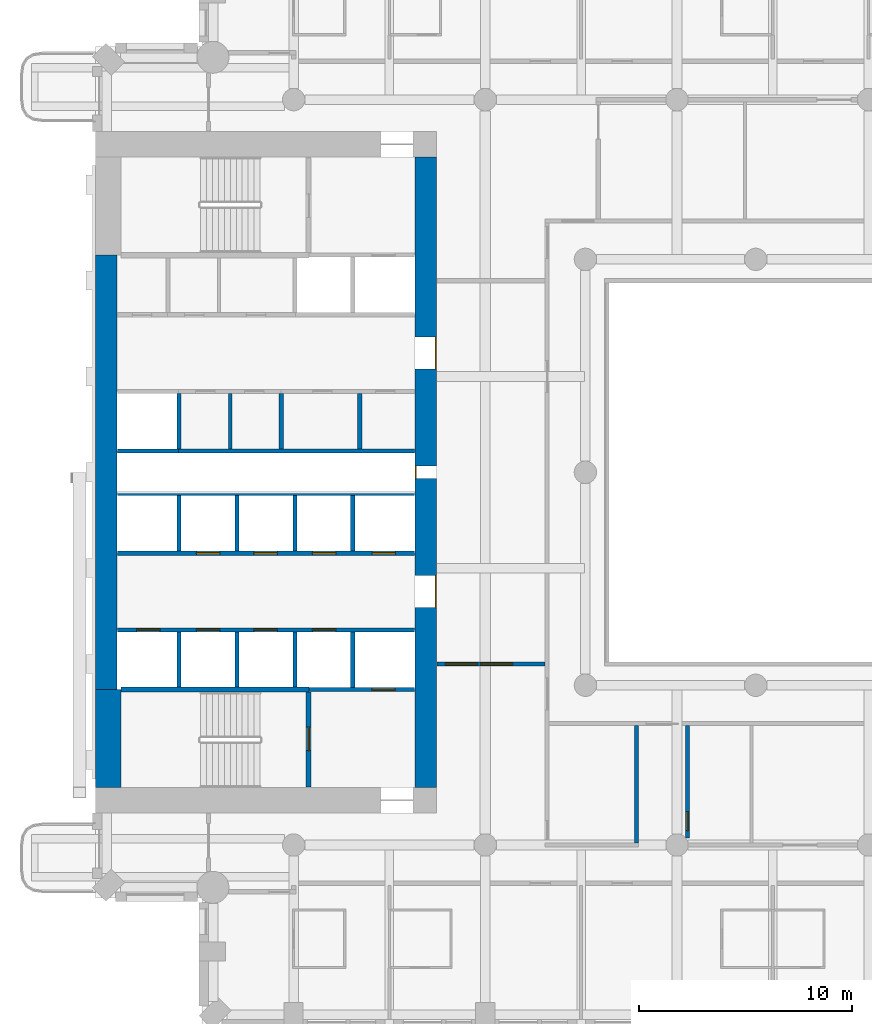
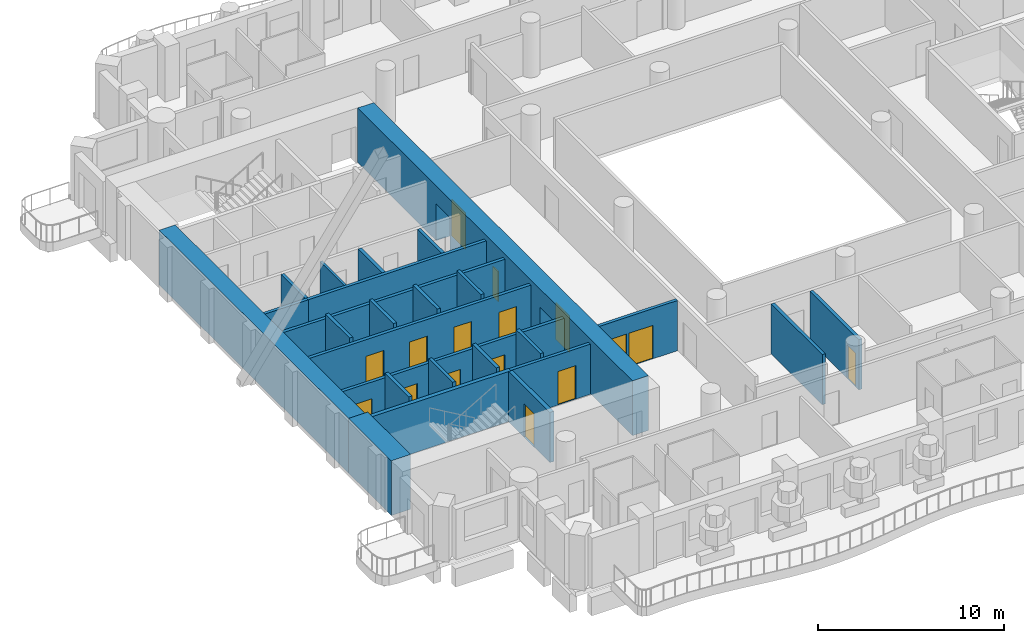
# One storey, part 4 of 21: 26 walls, 16 doors, 16 openings.
"""IFC4 building model written with IfcOpenShell, lengths in metres."""

from ifc_helpers import new_model, si_unit, direction, frame, frame_2d, origin, place, context, subcontext, project, spatial, rectangle, extrude, material, layer, layer_set, type_object, element, fill, save


model = new_model("IFC4")

# Units and contexts
model_context = context("Model", 3, precision=1e-05, world=origin(), true_north=direction((0.0, 1.0)))
body_context = subcontext(model_context, "Body", "Model", "MODEL_VIEW")
ifc_project = project(units=[si_unit("LENGTHUNIT", "METRE"), si_unit("AREAUNIT", "SQUARE_METRE"), si_unit("VOLUMEUNIT", "CUBIC_METRE"), si_unit("PLANEANGLEUNIT", "RADIAN"), si_unit("MASSUNIT", "GRAM", prefix="KILO")], contexts=[model_context])

# Site, building, storey
site_placement = place(None, origin())
site = spatial("IfcSite", under=ifc_project, at=site_placement, CompositionType="ELEMENT")
building_placement = place(site_placement, origin())
building = spatial("IfcBuilding", under=site, at=building_placement, Name="Cypress Arch Tower", CompositionType="ELEMENT")
storey_placement = place(building_placement, frame((0.0, 0.0, 127.5)))
storey = spatial("IfcBuildingStorey", under=building, at=storey_placement, Name="L27", CompositionType="ELEMENT", Elevation=127.5)

# Wall, openings, doors
ifc_material_1 = material(Name="Concrete C80/95", Category="concrete")
ifc_layer_1 = layer(ifc_material_1, 1.0)
ifc_layer_set_1 = layer_set([ifc_layer_1], Name="Core wall CW1000 C80/95")
wall_type_1 = type_object("IfcWallType", Name="Core wall CW1000 C80/95", PredefinedType="SHEAR", material=ifc_layer_set_1)
wall_1_placement = place(storey_placement, frame((-14.5, -14.800048828125, 0.0), z_axis=(0.0, 0.0, 1.0), x_axis=(0.0, 1.0, 0.0)))
wall_1 = element("IfcWall", 1, at=wall_1_placement, inside=storey, type_object=wall_type_1, Name="Core wall", PredefinedType="SHEAR", context=body_context, shape_type="SweptSolid", body=[
    extrude(rectangle(XDim=29.60009765625, YDim=1.0, at=frame_2d((14.800048828125, 0.0))), origin(), (0.0, 0.0, 1.0), 3.60009765625),
])
opening_1_placement = place(wall_1_placement, frame((8.449951171875, 0.0, 0.0)))
opening_1 = element("IfcOpeningElement", 2, at=opening_1_placement, cuts=wall_1, Name="Opening D07", PredefinedType="OPENING", context=body_context, shape_type="SweptSolid", body=[
    extrude(rectangle(XDim=1.5, YDim=2.39990234375, at=frame_2d((0.75, 1.199951171875))), frame((0.0, 0.510009765625, 0.0), z_axis=(0.0, -1.0, 0.0), x_axis=(1.0, 0.0, 0.0)), (0.0, 0.0, 1.0), 1.02001953125),
])
opening_2_placement = place(wall_1_placement, frame((19.64990234375, 0.0, 0.0)))
opening_2 = element("IfcOpeningElement", 3, at=opening_2_placement, cuts=wall_1, Name="Opening D07", PredefinedType="OPENING", context=body_context, shape_type="SweptSolid", body=[
    extrude(rectangle(XDim=1.5, YDim=2.39990234375, at=frame_2d((0.75, 1.199951171875))), frame((0.0, 0.510009765625, 0.0), z_axis=(0.0, -1.0, 0.0), x_axis=(1.0, 0.0, 0.0)), (0.0, 0.0, 1.0), 1.02001953125),
])
opening_3_placement = place(wall_1_placement, frame((14.5, 0.0, 0.0)))
opening_3 = element("IfcOpeningElement", 4, at=opening_3_placement, cuts=wall_1, Name="Opening D08", PredefinedType="OPENING", context=body_context, shape_type="SweptSolid", body=[
    extrude(rectangle(XDim=0.60009765625, YDim=2.0, at=frame_2d((0.300048828125, 1.0))), frame((0.0, 0.510009765625, 0.0), z_axis=(0.0, -1.0, 0.0), x_axis=(1.0, 0.0, 0.0)), (0.0, 0.0, 1.0), 1.02001953125),
])
ifc_material_2 = material(Name="Steel framed glazed door, fire resisting", Category="steel")
door_type_1 = type_object("IfcDoorType", Name="Lobby door D07 1500x2400", OperationType="DOUBLE_DOOR_SINGLE_SWING", PredefinedType="DOOR", material=ifc_material_2)
door_1_placement = place(opening_1_placement, origin())
door_1 = element("IfcDoor", 5, at=door_1_placement, inside=storey, type_object=door_type_1, Name="Lobby door", OperationType="DOUBLE_DOOR_SINGLE_SWING", OverallHeight=2.39990234375, OverallWidth=1.5, PredefinedType="DOOR", context=body_context, shape_type="SweptSolid", body=[
    extrude(rectangle(XDim=1.5, YDim=2.39990234375, at=frame_2d((0.75, 1.199951171875))), frame((0.0, -0.44482421875, 0.0), z_axis=(0.0, -1.0, 0.0), x_axis=(1.0, 0.0, 0.0)), (0.0, 0.0, 1.0), 0.050048828125),
])
fill(opening_1, door_1)
door_2_placement = place(opening_2_placement, origin())
door_2 = element("IfcDoor", 6, at=door_2_placement, inside=storey, type_object=door_type_1, Name="Lobby door", OperationType="DOUBLE_DOOR_SINGLE_SWING", OverallHeight=2.39990234375, OverallWidth=1.5, PredefinedType="DOOR", context=body_context, shape_type="SweptSolid", body=[
    extrude(rectangle(XDim=1.5, YDim=2.39990234375, at=frame_2d((0.75, 1.199951171875))), frame((0.0, -0.44482421875, 0.0), z_axis=(0.0, -1.0, 0.0), x_axis=(1.0, 0.0, 0.0)), (0.0, 0.0, 1.0), 0.050048828125),
])
fill(opening_2, door_2)
ifc_material_3 = material(Name="Steel access door, fire resisting", Category="steel")
door_type_2 = type_object("IfcDoorType", Name="Riser access door D08 600x2000", OperationType="SINGLE_SWING_LEFT", PredefinedType="DOOR", material=ifc_material_3)
door_3_placement = place(opening_3_placement, origin())
door_3 = element("IfcDoor", 7, at=door_3_placement, inside=storey, type_object=door_type_2, Name="Riser access door", OperationType="SINGLE_SWING_RIGHT", OverallHeight=2.0, OverallWidth=0.60009765625, PredefinedType="DOOR", context=body_context, shape_type="SweptSolid", body=[
    extrude(rectangle(XDim=0.60009765625, YDim=2.0, at=frame_2d((0.300048828125, 1.0))), frame((0.0, 0.4951171875, 0.0), z_axis=(0.0, -1.0, 0.0), x_axis=(1.0, 0.0, 0.0)), (0.0, 0.0, 1.0), 0.050048828125),
])
fill(opening_3, door_3)

# Walls
wall_2_placement = place(storey_placement, frame((-29.5, -10.199951171875, 0.0), z_axis=(0.0, 0.0, 1.0), x_axis=(0.0, 1.0, 0.0)))
element("IfcWall", 8, at=wall_2_placement, inside=storey, type_object=wall_type_1, Name="Core wall", PredefinedType="SHEAR", context=body_context, shape_type="SweptSolid", body=[
    extrude(rectangle(XDim=20.39990234375, YDim=1.0, at=frame_2d((10.199951171875, 0.0))), origin(), (0.0, 0.0, 1.0), 3.60009765625),
])
ifc_material_4 = material(Name="Concrete C80/95", Category="concrete")
ifc_layer_2 = layer(ifc_material_4, 1.199951171875)
ifc_layer_set_2 = layer_set([ifc_layer_2], Name="Core wall CW1200 C80/95")
wall_type_2 = type_object("IfcWallType", Name="Core wall CW1200 C80/95", PredefinedType="SHEAR", material=ifc_layer_set_2)
wall_3_placement = place(storey_placement, frame((-29.39990234375, -14.800048828125, 0.0), z_axis=(0.0, 0.0, 1.0), x_axis=(0.0, 1.0, 0.0)))
element("IfcWall", 9, at=wall_3_placement, inside=storey, type_object=wall_type_2, Name="Core wall", PredefinedType="SHEAR", context=body_context, shape_type="SweptSolid", body=[
    extrude(rectangle(XDim=4.60009765625, YDim=1.199951171875, at=frame_2d((2.300048828125, 0.0))), origin(), (0.0, 0.0, 1.0), 3.60009765625),
])

# Wall, openings, doors
ifc_material_5 = material(Name="Concrete blockwork, plastered, rated", Category="masonry")
ifc_layer_3 = layer(ifc_material_5, 0.199951171875)
ifc_layer_set_3 = layer_set([ifc_layer_3], Name="Corridor wall FW200")
wall_type_3 = type_object("IfcWallType", Name="Corridor wall FW200", PredefinedType="PARTITIONING", material=ifc_layer_set_3)
wall_4_placement = place(storey_placement, frame((-13.969970703125, -9.0, 0.0), z_axis=(0.0, 0.0, 1.0), x_axis=(1.0, 0.0, 0.0)))
wall_4 = element("IfcWall", 10, at=wall_4_placement, inside=storey, type_object=wall_type_3, Name="Corridor wall", PredefinedType="PARTITIONING", context=body_context, shape_type="SweptSolid", body=[
    extrude(rectangle(XDim=5.070068359375, YDim=0.199951171875, at=frame_2d((2.53515625, 0.0))), origin(), (0.0, 0.0, 1.0), 3.300048828125),
])
opening_4_placement = place(wall_4_placement, frame((0.39990234375, 0.0, 0.0)))
opening_4 = element("IfcOpeningElement", 11, at=opening_4_placement, cuts=wall_4, Name="Opening D04", PredefinedType="OPENING", context=body_context, shape_type="SweptSolid", body=[
    extrude(rectangle(XDim=1.5, YDim=2.199951171875, at=frame_2d((0.75, 1.10009765625))), frame((0.0, 0.10986328125, 0.0), z_axis=(0.0, -1.0, 0.0), x_axis=(1.0, 0.0, 0.0)), (0.0, 0.0, 1.0), 0.219970703125),
])
opening_5_placement = place(wall_4_placement, frame((2.050048828125, 0.0, 0.0)))
opening_5 = element("IfcOpeningElement", 12, at=opening_5_placement, cuts=wall_4, Name="Opening D04", PredefinedType="OPENING", context=body_context, shape_type="SweptSolid", body=[
    extrude(rectangle(XDim=1.5, YDim=2.199951171875, at=frame_2d((0.75, 1.10009765625))), frame((0.0, 0.10986328125, 0.0), z_axis=(0.0, -1.0, 0.0), x_axis=(1.0, 0.0, 0.0)), (0.0, 0.0, 1.0), 0.219970703125),
])
ifc_material_6 = material(Name="Timber double door", Category="wood")
door_type_3 = type_object("IfcDoorType", Name="Double door D04 1500x2200", OperationType="DOUBLE_DOOR_SINGLE_SWING", PredefinedType="DOOR", material=ifc_material_6)
door_4_placement = place(opening_4_placement, origin())
door_4 = element("IfcDoor", 13, at=door_4_placement, inside=storey, type_object=door_type_3, Name="Double door", OperationType="DOUBLE_DOOR_SINGLE_SWING", OverallHeight=2.199951171875, OverallWidth=1.5, PredefinedType="DOOR", context=body_context, shape_type="SweptSolid", body=[
    extrude(rectangle(XDim=1.5, YDim=2.199951171875, at=frame_2d((0.75, 1.10009765625))), frame((0.0, 0.02490234375, 0.0), z_axis=(0.0, -1.0, 0.0), x_axis=(1.0, 0.0, 0.0)), (0.0, 0.0, 1.0), 0.050048828125),
])
fill(opening_4, door_4)
door_5_placement = place(opening_5_placement, origin())
door_5 = element("IfcDoor", 14, at=door_5_placement, inside=storey, type_object=door_type_3, Name="Double door", OperationType="DOUBLE_DOOR_SINGLE_SWING", OverallHeight=2.199951171875, OverallWidth=1.5, PredefinedType="DOOR", context=body_context, shape_type="SweptSolid", body=[
    extrude(rectangle(XDim=1.5, YDim=2.199951171875, at=frame_2d((0.75, 1.10009765625))), frame((0.0, 0.02490234375, 0.0), z_axis=(0.0, -1.0, 0.0), x_axis=(1.0, 0.0, 0.0)), (0.0, 0.0, 1.0), 0.050048828125),
])
fill(opening_5, door_5)

# Wall
wall_5_placement = place(storey_placement, frame((-4.60009765625, -17.39990234375, 0.0), z_axis=(0.0, 0.0, 1.0), x_axis=(0.0, 1.0, 0.0)))
element("IfcWall", 15, at=wall_5_placement, inside=storey, type_object=wall_type_3, Name="Corridor wall", PredefinedType="PARTITIONING", context=body_context, shape_type="SweptSolid", body=[
    extrude(rectangle(XDim=5.5, YDim=0.199951171875, at=frame_2d((2.75, 0.0))), origin(), (0.0, 0.0, 1.0), 3.300048828125),
])

# Wall, opening, door
wall_6_placement = place(storey_placement, frame((-2.199951171875, -17.178466796875, 0.0), z_axis=(0.0, 0.0, 1.0), x_axis=(0.0, 1.0, 0.0)))
wall_6 = element("IfcWall", 16, at=wall_6_placement, inside=storey, type_object=wall_type_3, Name="Corridor wall", PredefinedType="PARTITIONING", context=body_context, shape_type="SweptSolid", body=[
    extrude(rectangle(XDim=5.278564453125, YDim=0.199951171875, at=frame_2d((2.63916015625, 0.0))), origin(), (0.0, 0.0, 1.0), 3.300048828125),
])
opening_6_placement = place(wall_6_placement, frame((0.35009765625, 0.0, 0.0)))
opening_6 = element("IfcOpeningElement", 17, at=opening_6_placement, cuts=wall_6, Name="Opening D05", PredefinedType="OPENING", context=body_context, shape_type="SweptSolid", body=[
    extrude(rectangle(XDim=0.89990234375, YDim=2.199951171875, at=frame_2d((0.449951171875, 1.10009765625))), frame((0.0, 0.10986328125, 0.0), z_axis=(0.0, -1.0, 0.0), x_axis=(1.0, 0.0, 0.0)), (0.0, 0.0, 1.0), 0.219970703125),
])
ifc_material_7 = material(Name="Timber flush door", Category="wood")
door_type_4 = type_object("IfcDoorType", Name="Service door D05 900x2200", OperationType="SINGLE_SWING_LEFT", PredefinedType="DOOR", material=ifc_material_7)
door_6_placement = place(opening_6_placement, origin())
door_6 = element("IfcDoor", 18, at=door_6_placement, inside=storey, type_object=door_type_4, Name="Service door", OperationType="SINGLE_SWING_RIGHT", OverallHeight=2.199951171875, OverallWidth=0.89990234375, PredefinedType="DOOR", context=body_context, shape_type="SweptSolid", body=[
    extrude(rectangle(XDim=0.89990234375, YDim=2.199951171875, at=frame_2d((0.449951171875, 1.10009765625))), frame((0.0, 0.02490234375, 0.0), z_axis=(0.0, -1.0, 0.0), x_axis=(1.0, 0.0, 0.0)), (0.0, 0.0, 1.0), 0.050048828125),
])
fill(opening_6, door_6)

# Walls
ifc_material_8 = material(Name="Blockwork, plastered both sides", Category="masonry")
ifc_layer_4 = layer(ifc_material_8, 0.14990234375)
ifc_layer_set_4 = layer_set([ifc_layer_4], Name="Partition PW150")
wall_type_4 = type_object("IfcWallType", Name="Partition PW150", PredefinedType="PARTITIONING", material=ifc_layer_set_4)
wall_7_placement = place(storey_placement, frame((-23.679931640625, 1.10009765625, 0.0), z_axis=(0.0, 0.0, 1.0), x_axis=(0.0, 1.0, 0.0)))
element("IfcWall", 19, at=wall_7_placement, inside=storey, type_object=wall_type_4, Name="Partition", PredefinedType="PARTITIONING", context=body_context, shape_type="SweptSolid", body=[
    extrude(rectangle(XDim=2.599853515625, YDim=0.14990234375, at=frame_2d((1.2998046875, 0.0))), origin(), (0.0, 0.0, 1.0), 3.300048828125),
])
ifc_material_9 = material(Name="Reinforced blockwork, plastered, rated", Category="masonry")
ifc_layer_5 = layer(ifc_material_9, 0.199951171875)
ifc_layer_set_5 = layer_set([ifc_layer_5], Name="Plant and riser wall PL200")
wall_type_5 = type_object("IfcWallType", Name="Plant and riser wall PL200", PredefinedType="PARTITIONING", material=ifc_layer_set_5)
wall_8_placement = place(storey_placement, frame((-26.10009765625, 1.0, 0.0), z_axis=(0.0, 0.0, 1.0), x_axis=(1.0, 0.0, 0.0)))
element("IfcWall", 20, at=wall_8_placement, inside=storey, type_object=wall_type_5, Name="Plant and riser wall", PredefinedType="PARTITIONING", context=body_context, shape_type="SweptSolid", body=[
    extrude(rectangle(XDim=11.070068359375, YDim=0.199951171875, at=frame_2d((5.53515625, 0.0))), origin(), (0.0, 0.0, 1.0), 3.300048828125),
])
for number, where, z_axis, x_axis, name in (
    (21, (-21.280029296875, 1.10009765625, 0.0), (0.0, 0.0, 1.0), (0.0, 1.0, 0.0), "Plant and riser wall"),
    (22, (-17.60009765625, 1.10009765625, 0.0), (0.0, 0.0, 1.0), (0.0, 1.0, 0.0), "Plant and riser wall"),
):
    element("IfcWall", number, at=place(storey_placement, frame(where, z_axis=z_axis, x_axis=x_axis)), inside=storey, type_object=wall_type_5, Name=name, PredefinedType="PARTITIONING", context=body_context, shape_type="SweptSolid", body=[
        extrude(rectangle(XDim=2.599853515625, YDim=0.199951171875, at=frame_2d((1.2998046875, 0.0))), origin(), (0.0, 0.0, 1.0), 3.300048828125),
    ])

# Wall, openings, doors
ifc_material_10 = material(Name="Concrete C50/60", Category="concrete")
ifc_layer_6 = layer(ifc_material_10, 0.199951171875)
ifc_layer_set_6 = layer_set([ifc_layer_6], Name="Shaft wall SH200")
wall_type_6 = type_object("IfcWallType", Name="Shaft wall SH200", PredefinedType="SHEAR", material=ifc_layer_set_6)
wall_9_placement = place(storey_placement, frame((-28.969970703125, -7.39990234375, 0.0), z_axis=(0.0, 0.0, 1.0), x_axis=(1.0, 0.0, 0.0)))
wall_9 = element("IfcWall", 23, at=wall_9_placement, inside=storey, type_object=wall_type_6, Name="Shaft wall", PredefinedType="SHEAR", context=body_context, shape_type="SweptSolid", body=[
    extrude(rectangle(XDim=13.93994140625, YDim=0.199951171875, at=frame_2d((6.969970703125, 0.0))), origin(), (0.0, 0.0, 1.0), 3.300048828125),
])
opening_7_placement = place(wall_9_placement, frame((0.89990234375, 0.0, 0.0)))
opening_7 = element("IfcOpeningElement", 24, at=opening_7_placement, cuts=wall_9, Name="Opening LD-LR1", PredefinedType="OPENING", context=body_context, shape_type="SweptSolid", body=[
    extrude(rectangle(XDim=1.10009765625, YDim=2.199951171875, at=frame_2d((0.550048828125, 1.10009765625))), frame((0.0, 0.10986328125, 0.0), z_axis=(0.0, -1.0, 0.0), x_axis=(1.0, 0.0, 0.0)), (0.0, 0.0, 1.0), 0.219970703125),
])
opening_8_placement = place(wall_9_placement, frame((3.699951171875, 0.0, 0.0)))
opening_8 = element("IfcOpeningElement", 25, at=opening_8_placement, cuts=wall_9, Name="Opening LD-LR2", PredefinedType="OPENING", context=body_context, shape_type="SweptSolid", body=[
    extrude(rectangle(XDim=1.10009765625, YDim=2.199951171875, at=frame_2d((0.550048828125, 1.10009765625))), frame((0.0, 0.10986328125, 0.0), z_axis=(0.0, -1.0, 0.0), x_axis=(1.0, 0.0, 0.0)), (0.0, 0.0, 1.0), 0.219970703125),
])
opening_9_placement = place(wall_9_placement, frame((6.39990234375, 0.0, 0.0)))
opening_9 = element("IfcOpeningElement", 26, at=opening_9_placement, cuts=wall_9, Name="Opening LD-LR3", PredefinedType="OPENING", context=body_context, shape_type="SweptSolid", body=[
    extrude(rectangle(XDim=1.10009765625, YDim=2.199951171875, at=frame_2d((0.550048828125, 1.10009765625))), frame((0.0, 0.10986328125, 0.0), z_axis=(0.0, -1.0, 0.0), x_axis=(1.0, 0.0, 0.0)), (0.0, 0.0, 1.0), 0.219970703125),
])
opening_10_placement = place(wall_9_placement, frame((9.14990234375, 0.0, 0.0)))
opening_10 = element("IfcOpeningElement", 27, at=opening_10_placement, cuts=wall_9, Name="Opening LD-LR4", PredefinedType="OPENING", context=body_context, shape_type="SweptSolid", body=[
    extrude(rectangle(XDim=1.10009765625, YDim=2.199951171875, at=frame_2d((0.550048828125, 1.10009765625))), frame((0.0, 0.10986328125, 0.0), z_axis=(0.0, -1.0, 0.0), x_axis=(1.0, 0.0, 0.0)), (0.0, 0.0, 1.0), 0.219970703125),
])
ifc_material_11 = material(Name="Stainless steel centre-opening landing door, rated", Category="steel")
door_type_5 = type_object("IfcDoorType", Name="Lift landing door LD 1100x2200", OperationType="DOUBLE_DOOR_SLIDING", PredefinedType="DOOR", material=ifc_material_11)
door_7_placement = place(opening_7_placement, origin())
door_7 = element("IfcDoor", 28, at=door_7_placement, inside=storey, type_object=door_type_5, Name="Lift landing doors LR1", OperationType="DOUBLE_DOOR_SLIDING", OverallHeight=2.199951171875, OverallWidth=1.10009765625, PredefinedType="DOOR", context=body_context, shape_type="SweptSolid", body=[
    extrude(rectangle(XDim=1.10009765625, YDim=2.199951171875, at=frame_2d((0.550048828125, 1.10009765625))), frame((0.0, 0.02490234375, 0.0), z_axis=(0.0, -1.0, 0.0), x_axis=(1.0, 0.0, 0.0)), (0.0, 0.0, 1.0), 0.050048828125),
])
fill(opening_7, door_7)
door_8_placement = place(opening_8_placement, origin())
door_8 = element("IfcDoor", 29, at=door_8_placement, inside=storey, type_object=door_type_5, Name="Lift landing doors LR2", OperationType="DOUBLE_DOOR_SLIDING", OverallHeight=2.199951171875, OverallWidth=1.10009765625, PredefinedType="DOOR", context=body_context, shape_type="SweptSolid", body=[
    extrude(rectangle(XDim=1.10009765625, YDim=2.199951171875, at=frame_2d((0.550048828125, 1.10009765625))), frame((0.0, 0.02490234375, 0.0), z_axis=(0.0, -1.0, 0.0), x_axis=(1.0, 0.0, 0.0)), (0.0, 0.0, 1.0), 0.050048828125),
])
fill(opening_8, door_8)
door_9_placement = place(opening_9_placement, origin())
door_9 = element("IfcDoor", 30, at=door_9_placement, inside=storey, type_object=door_type_5, Name="Lift landing doors LR3", OperationType="DOUBLE_DOOR_SLIDING", OverallHeight=2.199951171875, OverallWidth=1.10009765625, PredefinedType="DOOR", context=body_context, shape_type="SweptSolid", body=[
    extrude(rectangle(XDim=1.10009765625, YDim=2.199951171875, at=frame_2d((0.550048828125, 1.10009765625))), frame((0.0, 0.02490234375, 0.0), z_axis=(0.0, -1.0, 0.0), x_axis=(1.0, 0.0, 0.0)), (0.0, 0.0, 1.0), 0.050048828125),
])
fill(opening_9, door_9)
door_10_placement = place(opening_10_placement, origin())
door_10 = element("IfcDoor", 31, at=door_10_placement, inside=storey, type_object=door_type_5, Name="Lift landing doors LR4", OperationType="DOUBLE_DOOR_SLIDING", OverallHeight=2.199951171875, OverallWidth=1.10009765625, PredefinedType="DOOR", context=body_context, shape_type="SweptSolid", body=[
    extrude(rectangle(XDim=1.10009765625, YDim=2.199951171875, at=frame_2d((0.550048828125, 1.10009765625))), frame((0.0, 0.02490234375, 0.0), z_axis=(0.0, -1.0, 0.0), x_axis=(1.0, 0.0, 0.0)), (0.0, 0.0, 1.0), 0.050048828125),
])
fill(opening_10, door_10)

wall_10_placement = place(storey_placement, frame((-28.969970703125, -3.800048828125, 0.0), z_axis=(0.0, 0.0, 1.0), x_axis=(1.0, 0.0, 0.0)))
wall_10 = element("IfcWall", 32, at=wall_10_placement, inside=storey, type_object=wall_type_6, Name="Shaft wall", PredefinedType="SHEAR", context=body_context, shape_type="SweptSolid", body=[
    extrude(rectangle(XDim=13.93994140625, YDim=0.199951171875, at=frame_2d((6.969970703125, 0.0))), origin(), (0.0, 0.0, 1.0), 3.300048828125),
])
opening_11_placement = place(wall_10_placement, frame((3.699951171875, 0.0, 0.0)))
opening_11 = element("IfcOpeningElement", 33, at=opening_11_placement, cuts=wall_10, Name="Opening LD-LR5", PredefinedType="OPENING", context=body_context, shape_type="SweptSolid", body=[
    extrude(rectangle(XDim=1.10009765625, YDim=2.199951171875, at=frame_2d((0.550048828125, 1.10009765625))), frame((0.0, 0.10986328125, 0.0), z_axis=(0.0, -1.0, 0.0), x_axis=(1.0, 0.0, 0.0)), (0.0, 0.0, 1.0), 0.219970703125),
])
opening_12_placement = place(wall_10_placement, frame((6.39990234375, 0.0, 0.0)))
opening_12 = element("IfcOpeningElement", 34, at=opening_12_placement, cuts=wall_10, Name="Opening LD-LR6", PredefinedType="OPENING", context=body_context, shape_type="SweptSolid", body=[
    extrude(rectangle(XDim=1.10009765625, YDim=2.199951171875, at=frame_2d((0.550048828125, 1.10009765625))), frame((0.0, 0.10986328125, 0.0), z_axis=(0.0, -1.0, 0.0), x_axis=(1.0, 0.0, 0.0)), (0.0, 0.0, 1.0), 0.219970703125),
])
opening_13_placement = place(wall_10_placement, frame((9.14990234375, 0.0, 0.0)))
opening_13 = element("IfcOpeningElement", 35, at=opening_13_placement, cuts=wall_10, Name="Opening LD-LR7", PredefinedType="OPENING", context=body_context, shape_type="SweptSolid", body=[
    extrude(rectangle(XDim=1.10009765625, YDim=2.199951171875, at=frame_2d((0.550048828125, 1.10009765625))), frame((0.0, 0.10986328125, 0.0), z_axis=(0.0, -1.0, 0.0), x_axis=(1.0, 0.0, 0.0)), (0.0, 0.0, 1.0), 0.219970703125),
])
opening_14_placement = place(wall_10_placement, frame((11.949951171875, 0.0, 0.0)))
opening_14 = element("IfcOpeningElement", 36, at=opening_14_placement, cuts=wall_10, Name="Opening LD-LR8", PredefinedType="OPENING", context=body_context, shape_type="SweptSolid", body=[
    extrude(rectangle(XDim=1.10009765625, YDim=2.199951171875, at=frame_2d((0.550048828125, 1.10009765625))), frame((0.0, 0.10986328125, 0.0), z_axis=(0.0, -1.0, 0.0), x_axis=(1.0, 0.0, 0.0)), (0.0, 0.0, 1.0), 0.219970703125),
])
door_11_placement = place(opening_11_placement, origin())
door_11 = element("IfcDoor", 37, at=door_11_placement, inside=storey, type_object=door_type_5, Name="Lift landing doors LR5", OperationType="DOUBLE_DOOR_SLIDING", OverallHeight=2.199951171875, OverallWidth=1.10009765625, PredefinedType="DOOR", context=body_context, shape_type="SweptSolid", body=[
    extrude(rectangle(XDim=1.10009765625, YDim=2.199951171875, at=frame_2d((0.550048828125, 1.10009765625))), frame((0.0, 0.02490234375, 0.0), z_axis=(0.0, -1.0, 0.0), x_axis=(1.0, 0.0, 0.0)), (0.0, 0.0, 1.0), 0.050048828125),
])
fill(opening_11, door_11)
door_12_placement = place(opening_12_placement, origin())
door_12 = element("IfcDoor", 38, at=door_12_placement, inside=storey, type_object=door_type_5, Name="Lift landing doors LR6", OperationType="DOUBLE_DOOR_SLIDING", OverallHeight=2.199951171875, OverallWidth=1.10009765625, PredefinedType="DOOR", context=body_context, shape_type="SweptSolid", body=[
    extrude(rectangle(XDim=1.10009765625, YDim=2.199951171875, at=frame_2d((0.550048828125, 1.10009765625))), frame((0.0, 0.02490234375, 0.0), z_axis=(0.0, -1.0, 0.0), x_axis=(1.0, 0.0, 0.0)), (0.0, 0.0, 1.0), 0.050048828125),
])
fill(opening_12, door_12)
door_13_placement = place(opening_13_placement, origin())
door_13 = element("IfcDoor", 39, at=door_13_placement, inside=storey, type_object=door_type_5, Name="Lift landing doors LR7", OperationType="DOUBLE_DOOR_SLIDING", OverallHeight=2.199951171875, OverallWidth=1.10009765625, PredefinedType="DOOR", context=body_context, shape_type="SweptSolid", body=[
    extrude(rectangle(XDim=1.10009765625, YDim=2.199951171875, at=frame_2d((0.550048828125, 1.10009765625))), frame((0.0, 0.02490234375, 0.0), z_axis=(0.0, -1.0, 0.0), x_axis=(1.0, 0.0, 0.0)), (0.0, 0.0, 1.0), 0.050048828125),
])
fill(opening_13, door_13)
door_14_placement = place(opening_14_placement, origin())
door_14 = element("IfcDoor", 40, at=door_14_placement, inside=storey, type_object=door_type_5, Name="Lift landing doors LR8", OperationType="DOUBLE_DOOR_SLIDING", OverallHeight=2.199951171875, OverallWidth=1.10009765625, PredefinedType="DOOR", context=body_context, shape_type="SweptSolid", body=[
    extrude(rectangle(XDim=1.10009765625, YDim=2.199951171875, at=frame_2d((0.550048828125, 1.10009765625))), frame((0.0, 0.02490234375, 0.0), z_axis=(0.0, -1.0, 0.0), x_axis=(1.0, 0.0, 0.0)), (0.0, 0.0, 1.0), 0.050048828125),
])
fill(opening_14, door_14)

# Walls
wall_11_placement = place(storey_placement, frame((-28.969970703125, -1.0, 0.0), z_axis=(0.0, 0.0, 1.0), x_axis=(1.0, 0.0, 0.0)))
element("IfcWall", 41, at=wall_11_placement, inside=storey, type_object=wall_type_6, Name="Shaft wall", PredefinedType="SHEAR", context=body_context, shape_type="SweptSolid", body=[
    extrude(rectangle(XDim=13.93994140625, YDim=0.199951171875, at=frame_2d((6.969970703125, 0.0))), origin(), (0.0, 0.0, 1.0), 3.300048828125),
])
wall_12_placement = place(storey_placement, frame((-28.969970703125, 1.0, 0.0), z_axis=(0.0, 0.0, 1.0), x_axis=(1.0, 0.0, 0.0)))
element("IfcWall", 42, at=wall_12_placement, inside=storey, type_object=wall_type_6, Name="Shaft wall", PredefinedType="SHEAR", context=body_context, shape_type="SweptSolid", body=[
    extrude(rectangle(XDim=2.869873046875, YDim=0.199951171875, at=frame_2d((1.43505859375, 0.0))), origin(), (0.0, 0.0, 1.0), 3.300048828125),
])
wall_13_placement = place(storey_placement, frame((-26.080078125, -10.074951171875, 0.0), z_axis=(0.0, 0.0, 1.0), x_axis=(0.0, 1.0, 0.0)))
element("IfcWall", 43, at=wall_13_placement, inside=storey, type_object=wall_type_6, Name="Shaft wall", PredefinedType="SHEAR", context=body_context, shape_type="SweptSolid", body=[
    extrude(rectangle(XDim=2.574951171875, YDim=0.199951171875, at=frame_2d((1.28759765625, 0.0))), origin(), (0.0, 0.0, 1.0), 3.60009765625),
])
wall_14_placement = place(storey_placement, frame((-26.080078125, -3.699951171875, 0.0), z_axis=(0.0, 0.0, 1.0), x_axis=(0.0, 1.0, 0.0)))
element("IfcWall", 44, at=wall_14_placement, inside=storey, type_object=wall_type_6, Name="Shaft wall", PredefinedType="SHEAR", context=body_context, shape_type="SweptSolid", body=[
    extrude(rectangle(XDim=2.599853515625, YDim=0.199951171875, at=frame_2d((1.2998046875, 0.0))), origin(), (0.0, 0.0, 1.0), 3.60009765625),
])
wall_15_placement = place(storey_placement, frame((-26.080078125, 1.10009765625, 0.0), z_axis=(0.0, 0.0, 1.0), x_axis=(0.0, 1.0, 0.0)))
element("IfcWall", 45, at=wall_15_placement, inside=storey, type_object=wall_type_6, Name="Shaft wall", PredefinedType="SHEAR", context=body_context, shape_type="SweptSolid", body=[
    extrude(rectangle(XDim=2.599853515625, YDim=0.199951171875, at=frame_2d((1.2998046875, 0.0))), origin(), (0.0, 0.0, 1.0), 3.300048828125),
])
wall_16_placement = place(storey_placement, frame((-23.360107421875, -10.074951171875, 0.0), z_axis=(0.0, 0.0, 1.0), x_axis=(0.0, 1.0, 0.0)))
element("IfcWall", 46, at=wall_16_placement, inside=storey, type_object=wall_type_6, Name="Shaft wall", PredefinedType="SHEAR", context=body_context, shape_type="SweptSolid", body=[
    extrude(rectangle(XDim=2.574951171875, YDim=0.199951171875, at=frame_2d((1.28759765625, 0.0))), origin(), (0.0, 0.0, 1.0), 3.60009765625),
])
wall_17_placement = place(storey_placement, frame((-23.360107421875, -3.699951171875, 0.0), z_axis=(0.0, 0.0, 1.0), x_axis=(0.0, 1.0, 0.0)))
element("IfcWall", 47, at=wall_17_placement, inside=storey, type_object=wall_type_6, Name="Shaft wall", PredefinedType="SHEAR", context=body_context, shape_type="SweptSolid", body=[
    extrude(rectangle(XDim=2.599853515625, YDim=0.199951171875, at=frame_2d((1.2998046875, 0.0))), origin(), (0.0, 0.0, 1.0), 3.60009765625),
])
wall_18_placement = place(storey_placement, frame((-20.639892578125, -10.074951171875, 0.0), z_axis=(0.0, 0.0, 1.0), x_axis=(0.0, 1.0, 0.0)))
element("IfcWall", 48, at=wall_18_placement, inside=storey, type_object=wall_type_6, Name="Shaft wall", PredefinedType="SHEAR", context=body_context, shape_type="SweptSolid", body=[
    extrude(rectangle(XDim=2.574951171875, YDim=0.199951171875, at=frame_2d((1.28759765625, 0.0))), origin(), (0.0, 0.0, 1.0), 3.60009765625),
])
wall_19_placement = place(storey_placement, frame((-20.639892578125, -3.699951171875, 0.0), z_axis=(0.0, 0.0, 1.0), x_axis=(0.0, 1.0, 0.0)))
element("IfcWall", 49, at=wall_19_placement, inside=storey, type_object=wall_type_6, Name="Shaft wall", PredefinedType="SHEAR", context=body_context, shape_type="SweptSolid", body=[
    extrude(rectangle(XDim=2.599853515625, YDim=0.199951171875, at=frame_2d((1.2998046875, 0.0))), origin(), (0.0, 0.0, 1.0), 3.60009765625),
])

# Wall, opening, door
wall_20_placement = place(storey_placement, frame((-19.97998046875, -10.199951171875, 0.0), z_axis=(0.0, 0.0, 1.0), x_axis=(1.0, 0.0, 0.0)))
wall_20 = element("IfcWall", 50, at=wall_20_placement, inside=storey, type_object=wall_type_6, Name="Shaft wall", PredefinedType="SHEAR", context=body_context, shape_type="SweptSolid", body=[
    extrude(rectangle(XDim=4.949951171875, YDim=0.199951171875, at=frame_2d((2.47509765625, 0.0))), origin(), (0.0, 0.0, 1.0), 3.300048828125),
])
opening_15_placement = place(wall_20_placement, frame((2.949951171875, 0.0, 0.0)))
opening_15 = element("IfcOpeningElement", 51, at=opening_15_placement, cuts=wall_20, Name="Opening LD-FL1", PredefinedType="OPENING", context=body_context, shape_type="SweptSolid", body=[
    extrude(rectangle(XDim=1.10009765625, YDim=2.199951171875, at=frame_2d((0.550048828125, 1.10009765625))), frame((0.0, 0.10986328125, 0.0), z_axis=(0.0, -1.0, 0.0), x_axis=(1.0, 0.0, 0.0)), (0.0, 0.0, 1.0), 0.219970703125),
])
door_15_placement = place(opening_15_placement, origin())
door_15 = element("IfcDoor", 52, at=door_15_placement, inside=storey, type_object=door_type_5, Name="Lift landing doors FL1", OperationType="DOUBLE_DOOR_SLIDING", OverallHeight=2.199951171875, OverallWidth=1.10009765625, PredefinedType="DOOR", context=body_context, shape_type="SweptSolid", body=[
    extrude(rectangle(XDim=1.10009765625, YDim=2.199951171875, at=frame_2d((0.550048828125, 1.10009765625))), frame((0.0, 0.02490234375, 0.0), z_axis=(0.0, -1.0, 0.0), x_axis=(1.0, 0.0, 0.0)), (0.0, 0.0, 1.0), 0.050048828125),
])
fill(opening_15, door_15)

# Walls
wall_21_placement = place(storey_placement, frame((-17.919921875, -10.10009765625, 0.0), z_axis=(0.0, 0.0, 1.0), x_axis=(0.0, 1.0, 0.0)))
element("IfcWall", 53, at=wall_21_placement, inside=storey, type_object=wall_type_6, Name="Shaft wall", PredefinedType="SHEAR", context=body_context, shape_type="SweptSolid", body=[
    extrude(rectangle(XDim=2.60009765625, YDim=0.199951171875, at=frame_2d((1.300048828125, 0.0))), origin(), (0.0, 0.0, 1.0), 3.60009765625),
])
wall_22_placement = place(storey_placement, frame((-17.919921875, -3.699951171875, 0.0), z_axis=(0.0, 0.0, 1.0), x_axis=(0.0, 1.0, 0.0)))
element("IfcWall", 54, at=wall_22_placement, inside=storey, type_object=wall_type_6, Name="Shaft wall", PredefinedType="SHEAR", context=body_context, shape_type="SweptSolid", body=[
    extrude(rectangle(XDim=2.599853515625, YDim=0.199951171875, at=frame_2d((1.2998046875, 0.0))), origin(), (0.0, 0.0, 1.0), 3.60009765625),
])
ifc_material_12 = material(Name="Concrete C50/60", Category="concrete")
ifc_layer_7 = layer(ifc_material_12, 0.25)
ifc_layer_set_7 = layer_set([ifc_layer_7], Name="Stair enclosure wall SW250")
wall_type_7 = type_object("IfcWallType", Name="Stair enclosure wall SW250", PredefinedType="SHEAR", material=ifc_layer_set_7)
wall_23_placement = place(storey_placement, frame((-28.81005859375, -10.199951171875, 0.0), z_axis=(0.0, 0.0, 1.0), x_axis=(1.0, 0.0, 0.0)))
element("IfcWall", 55, at=wall_23_placement, inside=storey, type_object=wall_type_7, Name="Stair enclosure wall", PredefinedType="SHEAR", context=body_context, shape_type="SweptSolid", body=[
    extrude(rectangle(XDim=8.830078125, YDim=0.25, at=frame_2d((4.4150390625, 0.0))), origin(), (0.0, 0.0, 1.0), 3.300048828125),
])

# Wall, opening, door
wall_24_placement = place(storey_placement, frame((-20.0, -14.77001953125, 0.0), z_axis=(0.0, 0.0, 1.0), x_axis=(0.0, 1.0, 0.0)))
wall_24 = element("IfcWall", 56, at=wall_24_placement, inside=storey, type_object=wall_type_7, Name="Stair enclosure wall", PredefinedType="SHEAR", context=body_context, shape_type="SweptSolid", body=[
    extrude(rectangle(XDim=4.445068359375, YDim=0.25, at=frame_2d((2.22265625, 0.0))), origin(), (0.0, 0.0, 1.0), 3.300048828125),
])
opening_16_placement = place(wall_24_placement, frame((1.699951171875, 0.0, 0.0)))
opening_16 = element("IfcOpeningElement", 57, at=opening_16_placement, cuts=wall_24, Name="Opening D06", PredefinedType="OPENING", context=body_context, shape_type="SweptSolid", body=[
    extrude(rectangle(XDim=1.10009765625, YDim=2.199951171875, at=frame_2d((0.550048828125, 1.10009765625))), frame((0.0, 0.135009765625, 0.0), z_axis=(0.0, -1.0, 0.0), x_axis=(1.0, 0.0, 0.0)), (0.0, 0.0, 1.0), 0.27001953125),
])
ifc_material_13 = material(Name="Steel door, fire resisting, panic bar", Category="steel")
door_type_6 = type_object("IfcDoorType", Name="Stair door D06 1100x2200", OperationType="SINGLE_SWING_LEFT", PredefinedType="DOOR", material=ifc_material_13)
door_16_placement = place(opening_16_placement, origin())
door_16 = element("IfcDoor", 58, at=door_16_placement, inside=storey, type_object=door_type_6, Name="Stair door", OperationType="SINGLE_SWING_RIGHT", OverallHeight=2.199951171875, OverallWidth=1.10009765625, PredefinedType="DOOR", context=body_context, shape_type="SweptSolid", body=[
    extrude(rectangle(XDim=1.10009765625, YDim=2.199951171875, at=frame_2d((0.550048828125, 1.10009765625))), frame((0.0, 0.02490234375, 0.0), z_axis=(0.0, -1.0, 0.0), x_axis=(1.0, 0.0, 0.0)), (0.0, 0.0, 1.0), 0.050048828125),
])
fill(opening_16, door_16)

save(model, "model.ifc")
